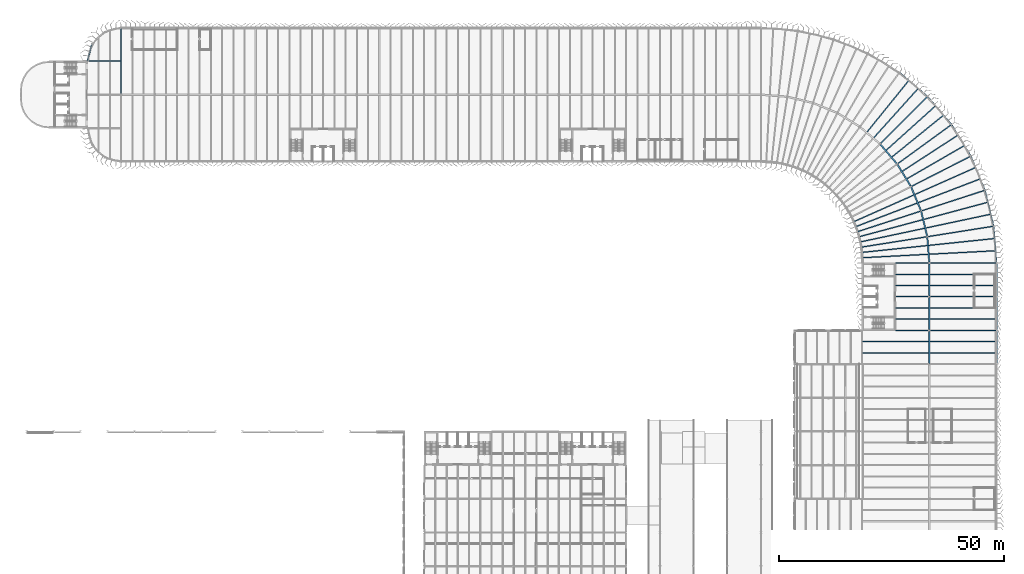
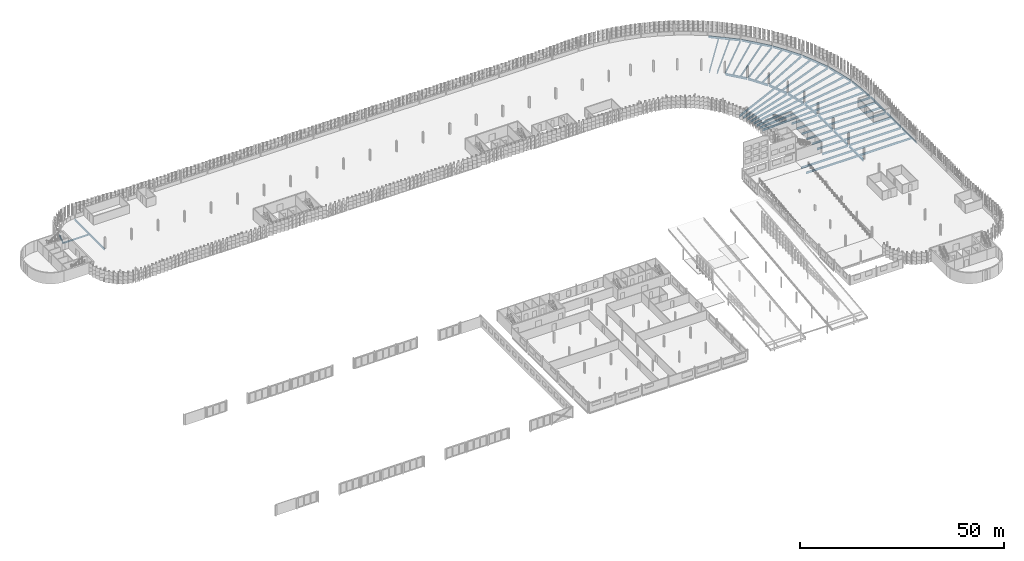
# One storey, part 44 of 199: 63 beams.
"""IFC4 building model written with IfcOpenShell, lengths in metres."""

from ifc_helpers import new_model, si_unit, direction, frame, origin, origin_2d, place, context, subcontext, project, spatial, i_section, extrude, material, material_profile, profile_set, type_object, element, save


model = new_model("IFC4")

# Units and contexts
model_context = context("Model", 3, precision=1e-05, world=origin(), true_north=direction((0.0, 1.0)))
body_context = subcontext(model_context, "Body", "Model", "MODEL_VIEW")
ifc_project = project(units=[si_unit("LENGTHUNIT", "METRE"), si_unit("AREAUNIT", "SQUARE_METRE"), si_unit("VOLUMEUNIT", "CUBIC_METRE"), si_unit("PLANEANGLEUNIT", "RADIAN"), si_unit("MASSUNIT", "GRAM", prefix="KILO")], contexts=[model_context])

# Site, building, storey
site_placement = place(None, origin())
site = spatial("IfcSite", under=ifc_project, at=site_placement, CompositionType="ELEMENT")
building_placement = place(site_placement, origin())
building = spatial("IfcBuilding", under=site, at=building_placement, Name="Parallax Yard Mobility Hub", CompositionType="ELEMENT")
storey_placement = place(building_placement, frame((0.0, 0.0, 9.89990234375)))
storey = spatial("IfcBuildingStorey", under=building, at=storey_placement, Name="L03", CompositionType="ELEMENT", Elevation=9.89990234375)

# Beams
ifc_material = material(Name="Steel ASTM A992", Category="steel")
ifc_material_profile_1 = material_profile(ifc_material, i_section(OverallWidth=0.19091796875, OverallDepth=0.45703125, WebThickness=0.009033203125, FlangeThickness=0.014404296875, FilletRadius=0.01025390625, at=origin_2d()), Name="W460x74")
ifc_profile_set_1 = profile_set([ifc_material_profile_1], Name="Steel ASTM A992")
beam_type_1 = type_object("IfcBeamType", Name="W460x74 longitudinal beam", PredefinedType="BEAM", material=ifc_profile_set_1)
beam_1_placement = place(storey_placement, frame((22.608154296875, 135.0, -0.368408203125), z_axis=(1.0, 0.0, 0.0), x_axis=(0.0, 1.0, 0.0)))
element("IfcBeam", 1, at=beam_1_placement, inside=storey, type_object=beam_type_1, Name="Longitudinal beam SB4 level L03, line U of ramped parking decks, span 1", PredefinedType="BEAM", context=body_context, shape_type="SweptSolid", body=[
    extrude(i_section(OverallWidth=0.19091796875, OverallDepth=0.45703125, WebThickness=0.009033203125, FlangeThickness=0.014404296875, FilletRadius=0.01025390625, at=origin_2d()), origin(), (0.0, 0.0, 1.0), 7.27734375),
])
ifc_material_profile_2 = material_profile(ifc_material, i_section(OverallWidth=0.208984375, OverallDepth=0.532958984375, WebThickness=0.01025390625, FlangeThickness=0.015625, FilletRadius=0.0126953125, at=origin_2d()), Name="W530x92")
ifc_profile_set_2 = profile_set([ifc_material_profile_2], Name="Steel ASTM A992")
beam_type_2 = type_object("IfcBeamType", Name="W530x92 edge beam", PredefinedType="SPANDREL", material=ifc_profile_set_2)
for number, where, z_axis, x_axis, name in (
    (2, (225.0, 67.652587890625, -0.406494140625), (0.0, 1.0, 0.0), (-1.0, 0.0, 0.0), "Edge beam SB5 level L03, line 31 of ramped parking decks, span 6"),
    (3, (225.0, 75.152587890625, -0.406494140625), (0.0, 1.0, 0.0), (-1.0, 0.0, 0.0), "Edge beam SB5 level L03, line 31 of ramped parking decks, span 7"),
    (4, (225.0, 82.652587890625, -0.406494140625), (0.0, 1.0, 0.0), (-1.0, 0.0, 0.0), "Edge beam SB5 level L03, line 31 of ramped parking decks, span 8"),
):
    element("IfcBeam", number, at=place(storey_placement, frame(where, z_axis=z_axis, x_axis=x_axis)), inside=storey, type_object=beam_type_2, Name=name, PredefinedType="SPANDREL", context=body_context, shape_type="SweptSolid", body=[
        extrude(i_section(OverallWidth=0.208984375, OverallDepth=0.532958984375, WebThickness=0.01025390625, FlangeThickness=0.015625, FilletRadius=0.0126953125, at=origin_2d()), origin(), (0.0, 0.0, 1.0), 7.19482421875),
    ])
beam_2_placement = place(storey_placement, frame((23.463623046875, 138.596435546875, -0.406494140625), z_axis=(-0.2588092838, -0.965928441769, 0.0), x_axis=(0.965928441769, -0.2588092838, 0.0)))
element("IfcBeam", 5, at=beam_2_placement, inside=storey, type_object=beam_type_2, Name="Edge beam SB5 level L03, the west end of ramped parking decks, span 2", PredefinedType="SPANDREL", context=body_context, shape_type="SweptSolid", body=[
    extrude(i_section(OverallWidth=0.208984375, OverallDepth=0.532958984375, WebThickness=0.01025390625, FlangeThickness=0.015625, FilletRadius=0.0126953125, at=origin_2d()), origin(), (0.0, 0.0, 1.0), 3.723388671875),
])
ifc_material_profile_3 = material_profile(ifc_material, i_section(OverallWidth=0.22802734375, OverallDepth=0.60205078125, WebThickness=0.010498046875, FlangeThickness=0.014892578125, FilletRadius=0.0126953125, at=origin_2d()), Name="W610x101")
ifc_profile_set_3 = profile_set([ifc_material_profile_3], Name="Steel ASTM A992")
beam_type_3 = type_object("IfcBeamType", Name="W610x101 secondary beam", PredefinedType="JOIST", material=ifc_profile_set_3)
for number, where, z_axis, x_axis, name in (
    (6, (195.1044921875, 70.0, -0.44091796875), (1.0, 0.0, 0.0), (0.0, 1.0, 0.0), "Secondary beam B3 level L03, 2.5 m north of line K of ramped parking decks, span 1"),
    (7, (210.16259765625, 70.0, -0.44091796875), (1.0, 0.0, 0.0), (0.0, 1.0, 0.0), "Secondary beam B3 level L03, 2.5 m north of line K of ramped parking decks, span 2"),
):
    element("IfcBeam", number, at=place(storey_placement, frame(where, z_axis=z_axis, x_axis=x_axis)), inside=storey, type_object=beam_type_3, Name=name, PredefinedType="JOIST", context=body_context, shape_type="SweptSolid", body=[
        extrude(i_section(OverallWidth=0.22802734375, OverallDepth=0.60205078125, WebThickness=0.010498046875, FlangeThickness=0.014892578125, FilletRadius=0.0126953125, at=origin_2d()), origin(), (0.0, 0.0, 1.0), 14.73291015625),
    ])
beam_3_placement = place(storey_placement, frame((202.5, 77.5, -0.44091796875), z_axis=(1.0, 0.0, 0.0), x_axis=(0.0, 1.0, 0.0)))
element("IfcBeam", 8, at=beam_3_placement, inside=storey, type_object=beam_type_3, Name="Secondary beam B3 level L03, 2.5 m north of line L of ramped parking decks, span 1", PredefinedType="JOIST", context=body_context, shape_type="SweptSolid", body=[
    extrude(i_section(OverallWidth=0.22802734375, OverallDepth=0.60205078125, WebThickness=0.010498046875, FlangeThickness=0.014892578125, FilletRadius=0.0126953125, at=origin_2d()), origin(), (0.0, 0.0, 1.0), 7.33740234375),
])
beam_4_placement = place(storey_placement, frame((210.16259765625, 77.5, -0.44091796875), z_axis=(1.0, 0.0, 0.0), x_axis=(0.0, 1.0, 0.0)))
element("IfcBeam", 9, at=beam_4_placement, inside=storey, type_object=beam_type_3, Name="Secondary beam B3 level L03, 2.5 m north of line L of ramped parking decks, span 2", PredefinedType="JOIST", context=body_context, shape_type="SweptSolid", body=[
    extrude(i_section(OverallWidth=0.22802734375, OverallDepth=0.60205078125, WebThickness=0.010498046875, FlangeThickness=0.014892578125, FilletRadius=0.0126953125, at=origin_2d()), origin(), (0.0, 0.0, 1.0), 14.73291015625),
])
beam_5_placement = place(storey_placement, frame((202.5, 85.0, -0.44091796875), z_axis=(1.0, 0.0, 0.0), x_axis=(0.0, 1.0, 0.0)))
element("IfcBeam", 10, at=beam_5_placement, inside=storey, type_object=beam_type_3, Name="Secondary beam B3 level L03, 2.5 m north of line M of ramped parking decks, span 1", PredefinedType="JOIST", context=body_context, shape_type="SweptSolid", body=[
    extrude(i_section(OverallWidth=0.22802734375, OverallDepth=0.60205078125, WebThickness=0.010498046875, FlangeThickness=0.014892578125, FilletRadius=0.0126953125, at=origin_2d()), origin(), (0.0, 0.0, 1.0), 7.33740234375),
])
for number, where, z_axis, x_axis, name in (
    (11, (210.16259765625, 85.0, -0.44091796875), (1.0, 0.0, 0.0), (0.0, 1.0, 0.0), "Secondary beam B3 level L03, 2.5 m north of line M of ramped parking decks, span 2"),
    (12, (195.1044921875, 72.5, -0.44091796875), (1.0, 0.0, 0.0), (0.0, 1.0, 0.0), "Secondary beam B3 level L03, 5 m north of line K of ramped parking decks, span 1"),
    (13, (210.16259765625, 72.5, -0.44091796875), (1.0, 0.0, 0.0), (0.0, 1.0, 0.0), "Secondary beam B3 level L03, 5 m north of line K of ramped parking decks, span 2"),
):
    element("IfcBeam", number, at=place(storey_placement, frame(where, z_axis=z_axis, x_axis=x_axis)), inside=storey, type_object=beam_type_3, Name=name, PredefinedType="JOIST", context=body_context, shape_type="SweptSolid", body=[
        extrude(i_section(OverallWidth=0.22802734375, OverallDepth=0.60205078125, WebThickness=0.010498046875, FlangeThickness=0.014892578125, FilletRadius=0.0126953125, at=origin_2d()), origin(), (0.0, 0.0, 1.0), 14.73291015625),
    ])
beam_6_placement = place(storey_placement, frame((202.5, 80.0, -0.44091796875), z_axis=(1.0, 0.0, 0.0), x_axis=(0.0, 1.0, 0.0)))
element("IfcBeam", 14, at=beam_6_placement, inside=storey, type_object=beam_type_3, Name="Secondary beam B3 level L03, 5 m north of line L of ramped parking decks, span 1", PredefinedType="JOIST", context=body_context, shape_type="SweptSolid", body=[
    extrude(i_section(OverallWidth=0.22802734375, OverallDepth=0.60205078125, WebThickness=0.010498046875, FlangeThickness=0.014892578125, FilletRadius=0.0126953125, at=origin_2d()), origin(), (0.0, 0.0, 1.0), 7.33740234375),
])
beam_7_placement = place(storey_placement, frame((210.16259765625, 80.0, -0.44091796875), z_axis=(1.0, 0.0, 0.0), x_axis=(0.0, 1.0, 0.0)))
element("IfcBeam", 15, at=beam_7_placement, inside=storey, type_object=beam_type_3, Name="Secondary beam B3 level L03, 5 m north of line L of ramped parking decks, span 2", PredefinedType="JOIST", context=body_context, shape_type="SweptSolid", body=[
    extrude(i_section(OverallWidth=0.22802734375, OverallDepth=0.60205078125, WebThickness=0.010498046875, FlangeThickness=0.014892578125, FilletRadius=0.0126953125, at=origin_2d()), origin(), (0.0, 0.0, 1.0), 14.73291015625),
])
beam_8_placement = place(storey_placement, frame((202.5, 87.5, -0.44091796875), z_axis=(1.0, 0.0, 0.0), x_axis=(0.0, 1.0, 0.0)))
element("IfcBeam", 16, at=beam_8_placement, inside=storey, type_object=beam_type_3, Name="Secondary beam B3 level L03, 5 m north of line M of ramped parking decks, span 1", PredefinedType="JOIST", context=body_context, shape_type="SweptSolid", body=[
    extrude(i_section(OverallWidth=0.22802734375, OverallDepth=0.60205078125, WebThickness=0.010498046875, FlangeThickness=0.014892578125, FilletRadius=0.0126953125, at=origin_2d()), origin(), (0.0, 0.0, 1.0), 7.33740234375),
])
beam_9_placement = place(storey_placement, frame((210.16259765625, 87.5, -0.44091796875), z_axis=(1.0, 0.0, 0.0), x_axis=(0.0, 1.0, 0.0)))
element("IfcBeam", 17, at=beam_9_placement, inside=storey, type_object=beam_type_3, Name="Secondary beam B3 level L03, 5 m north of line M of ramped parking decks, span 2", PredefinedType="JOIST", context=body_context, shape_type="SweptSolid", body=[
    extrude(i_section(OverallWidth=0.22802734375, OverallDepth=0.60205078125, WebThickness=0.010498046875, FlangeThickness=0.014892578125, FilletRadius=0.0126953125, at=origin_2d()), origin(), (0.0, 0.0, 1.0), 14.73291015625),
])
beam_10_placement = place(storey_placement, frame((196.13720703125, 119.189453125, -0.44091796875), z_axis=(0.629317812071, 0.777148049865, 0.0), x_axis=(-0.777148049865, 0.629317812071, 0.0)))
element("IfcBeam", 18, at=beam_10_placement, inside=storey, type_object=beam_type_3, Name="Secondary beam B3 level L03, radial at 39 degrees of ramped parking decks, span 2", PredefinedType="JOIST", context=body_context, shape_type="SweptSolid", body=[
    extrude(i_section(OverallWidth=0.22802734375, OverallDepth=0.60205078125, WebThickness=0.010498046875, FlangeThickness=0.014892578125, FilletRadius=0.0126953125, at=origin_2d()), origin(), (0.0, 0.0, 1.0), 14.681884765625),
])
for number, where, z_axis, x_axis, name in (
    (19, (197.63232421875, 117.912353515625, -0.44091796875), (0.669130085287, 0.743145294652, 0.0), (-0.743145294652, 0.669130085287, 0.0), "Secondary beam B3 level L03, radial at 42 degrees of ramped parking decks, span 2"),
    (20, (200.412353515625, 115.13232421875, -0.44091796875), (0.743145294652, 0.669130085287, 0.0), (-0.669130085287, 0.743145294652, 0.0), "Secondary beam B3 level L03, radial at 48 degrees of ramped parking decks, span 2"),
):
    element("IfcBeam", number, at=place(storey_placement, frame(where, z_axis=z_axis, x_axis=x_axis)), inside=storey, type_object=beam_type_3, Name=name, PredefinedType="JOIST", context=body_context, shape_type="SweptSolid", body=[
        extrude(i_section(OverallWidth=0.22802734375, OverallDepth=0.60205078125, WebThickness=0.010498046875, FlangeThickness=0.014892578125, FilletRadius=0.0126953125, at=origin_2d()), origin(), (0.0, 0.0, 1.0), 14.681640625),
    ])
for number, where, z_axis, x_axis, name in (
    (21, (201.689453125, 113.63720703125, -0.44091796875), (0.777148049865, 0.629317812071, 0.0), (-0.629317812071, 0.777148049865, 0.0), "Secondary beam B3 level L03, radial at 51 degrees of ramped parking decks, span 2"),
    (22, (204.000244140625, 110.45654296875, -0.44091796875), (0.838669595432, 0.544640532551, 0.0), (-0.544640532551, 0.838669595432, 0.0), "Secondary beam B3 level L03, radial at 57 degrees of ramped parking decks, span 2"),
    (23, (205.027587890625, 108.77978515625, -0.44091796875), (0.866028298505, 0.499994986164, 0.0), (-0.499994986164, 0.866028298505, 0.0), "Secondary beam B3 level L03, radial at 60 degrees of ramped parking decks, span 2"),
):
    element("IfcBeam", number, at=place(storey_placement, frame(where, z_axis=z_axis, x_axis=x_axis)), inside=storey, type_object=beam_type_3, Name=name, PredefinedType="JOIST", context=body_context, shape_type="SweptSolid", body=[
        extrude(i_section(OverallWidth=0.22802734375, OverallDepth=0.60205078125, WebThickness=0.010498046875, FlangeThickness=0.014892578125, FilletRadius=0.0126953125, at=origin_2d()), origin(), (0.0, 0.0, 1.0), 14.681884765625),
    ])
beam_11_placement = place(storey_placement, frame((193.10302734375, 99.173095703125, -0.44091796875), z_axis=(0.913542542964, 0.406743189488, 0.0), x_axis=(-0.406743189488, 0.913542542964, 0.0)))
element("IfcBeam", 24, at=beam_11_placement, inside=storey, type_object=beam_type_3, Name="Secondary beam B3 level L03, radial at 66 degrees of ramped parking decks, span 1", PredefinedType="JOIST", context=body_context, shape_type="SweptSolid", body=[
    extrude(i_section(OverallWidth=0.22802734375, OverallDepth=0.60205078125, WebThickness=0.010498046875, FlangeThickness=0.014892578125, FilletRadius=0.0126953125, at=origin_2d()), origin(), (0.0, 0.0, 1.0), 14.681640625),
])
beam_12_placement = place(storey_placement, frame((206.8125, 105.27685546875, -0.44091796875), z_axis=(0.913545293989, 0.406737010648, 0.0), x_axis=(-0.406737010648, 0.913545293989, 0.0)))
element("IfcBeam", 25, at=beam_12_placement, inside=storey, type_object=beam_type_3, Name="Secondary beam B3 level L03, radial at 66 degrees of ramped parking decks, span 2", PredefinedType="JOIST", context=body_context, shape_type="SweptSolid", body=[
    extrude(i_section(OverallWidth=0.22802734375, OverallDepth=0.60205078125, WebThickness=0.010498046875, FlangeThickness=0.014892578125, FilletRadius=0.0126953125, at=origin_2d()), origin(), (0.0, 0.0, 1.0), 14.681884765625),
])
for number, where, z_axis, x_axis, name in (
    (26, (193.554931640625, 98.082275390625, -0.44091796875), (0.933585403808, 0.358354982937, 0.0), (-0.358354982937, 0.933585403808, 0.0), "Secondary beam B3 level L03, radial at 69 degrees of ramped parking decks, span 1"),
    (27, (207.565185546875, 103.460205078125, -0.44091796875), (0.933579840414, 0.358369476341, 0.0), (-0.358369476341, 0.933579840414, 0.0), "Secondary beam B3 level L03, radial at 69 degrees of ramped parking decks, span 2"),
    (28, (194.284423828125, 95.837158203125, -0.44091796875), (0.965927342589, 0.258813386129, 0.0), (-0.258813386129, 0.965927342589, 0.0), "Secondary beam B3 level L03, radial at 75 degrees of ramped parking decks, span 1"),
):
    element("IfcBeam", number, at=place(storey_placement, frame(where, z_axis=z_axis, x_axis=x_axis)), inside=storey, type_object=beam_type_3, Name=name, PredefinedType="JOIST", context=body_context, shape_type="SweptSolid", body=[
        extrude(i_section(OverallWidth=0.22802734375, OverallDepth=0.60205078125, WebThickness=0.010498046875, FlangeThickness=0.014892578125, FilletRadius=0.0126953125, at=origin_2d()), origin(), (0.0, 0.0, 1.0), 14.681640625),
    ])
beam_13_placement = place(storey_placement, frame((208.77978515625, 99.72119140625, -0.44091796875), z_axis=(0.965924299306, 0.258824743814, 0.0), x_axis=(-0.258824743814, 0.965924299306, 0.0)))
element("IfcBeam", 29, at=beam_13_placement, inside=storey, type_object=beam_type_3, Name="Secondary beam B3 level L03, radial at 75 degrees of ramped parking decks, span 2", PredefinedType="JOIST", context=body_context, shape_type="SweptSolid", body=[
    extrude(i_section(OverallWidth=0.22802734375, OverallDepth=0.60205078125, WebThickness=0.010498046875, FlangeThickness=0.014892578125, FilletRadius=0.0126953125, at=origin_2d()), origin(), (0.0, 0.0, 1.0), 14.681884765625),
])
beam_14_placement = place(storey_placement, frame((194.56005859375, 94.68896484375, -0.44091796875), z_axis=(0.978147607736, 0.207911657875, 0.0), x_axis=(-0.207911657875, 0.978147607736, 0.0)))
element("IfcBeam", 30, at=beam_14_placement, inside=storey, type_object=beam_type_3, Name="Secondary beam B3 level L03, radial at 78 degrees of ramped parking decks, span 1", PredefinedType="JOIST", context=body_context, shape_type="SweptSolid", body=[
    extrude(i_section(OverallWidth=0.22802734375, OverallDepth=0.60205078125, WebThickness=0.010498046875, FlangeThickness=0.014892578125, FilletRadius=0.0126953125, at=origin_2d()), origin(), (0.0, 0.0, 1.0), 14.681640625),
])
for number, where, z_axis, x_axis, name in (
    (31, (209.239013671875, 97.80908203125, -0.44091796875), (0.978148326542, 0.207908276129, 0.0), (-0.207908276129, 0.978148326542, 0.0), "Secondary beam B3 level L03, radial at 78 degrees of ramped parking decks, span 2"),
    (32, (194.92919921875, 92.357421875, -0.44091796875), (0.994522023464, 0.104527244507, 0.0), (-0.104527244507, 0.994522023464, 0.0), "Secondary beam B3 level L03, radial at 84 degrees of ramped parking decks, span 1"),
):
    element("IfcBeam", number, at=place(storey_placement, frame(where, z_axis=z_axis, x_axis=x_axis)), inside=storey, type_object=beam_type_3, Name=name, PredefinedType="JOIST", context=body_context, shape_type="SweptSolid", body=[
        extrude(i_section(OverallWidth=0.22802734375, OverallDepth=0.60205078125, WebThickness=0.010498046875, FlangeThickness=0.014892578125, FilletRadius=0.0126953125, at=origin_2d()), origin(), (0.0, 0.0, 1.0), 14.681884765625),
    ])
for number, where, z_axis, x_axis, name in (
    (33, (209.85400390625, 93.926025390625, -0.44091796875), (0.994521841777, 0.104528973154, 0.0), (-0.104528973154, 0.994521841777, 0.0), "Secondary beam B3 level L03, radial at 84 degrees of ramped parking decks, span 2"),
    (34, (195.02197265625, 91.180419921875, -0.44091796875), (0.99862979267, 0.052331034694, 0.0), (-0.052331034694, 0.99862979267, 0.0), "Secondary beam B3 level L03, radial at 87 degrees of ramped parking decks, span 1"),
    (35, (210.00830078125, 91.9658203125, -0.44091796875), (0.99862979267, 0.052331034694, 0.0), (-0.052331034694, 0.99862979267, 0.0), "Secondary beam B3 level L03, radial at 87 degrees of ramped parking decks, span 2"),
):
    element("IfcBeam", number, at=place(storey_placement, frame(where, z_axis=z_axis, x_axis=x_axis)), inside=storey, type_object=beam_type_3, Name=name, PredefinedType="JOIST", context=body_context, shape_type="SweptSolid", body=[
        extrude(i_section(OverallWidth=0.22802734375, OverallDepth=0.60205078125, WebThickness=0.010498046875, FlangeThickness=0.014892578125, FilletRadius=0.0126953125, at=origin_2d()), origin(), (0.0, 0.0, 1.0), 14.681640625),
    ])
ifc_material_profile_4 = material_profile(ifc_material, i_section(OverallWidth=0.22900390625, OverallDepth=0.612060546875, WebThickness=0.011962890625, FlangeThickness=0.01953125, FilletRadius=0.0126953125, at=origin_2d()), Name="W610x125")
ifc_profile_set_4 = profile_set([ifc_material_profile_4], Name="Steel ASTM A992")
beam_type_4 = type_object("IfcBeamType", Name="W610x125 edge beam", PredefinedType="SPANDREL", material=ifc_profile_set_4)
for number, where, z_axis, x_axis, name in (
    (36, (203.47509765625, 132.3740234375, -0.44580078125), (0.76040471034, -0.649449518048, 0.0), (0.649449518048, 0.76040471034, 0.0), "Edge beam SB7 level L03, ring RC of ramped parking decks, span 5"),
    (37, (209.722412109375, 127.0068359375, -0.44580078125), (0.649449518048, -0.76040471034, 0.0), (0.76040471034, 0.649449518048, 0.0), "Edge beam SB7 level L03, ring RC of ramped parking decks, span 6"),
    (38, (215.05322265625, 120.728271484375, -0.44580078125), (0.522511537027, -0.852632214776, 0.0), (0.852632214776, 0.522511537027, 0.0), "Edge beam SB7 level L03, ring RC of ramped parking decks, span 7"),
    (39, (219.336181640625, 113.693115234375, -0.44580078125), (0.38272419086, -0.923862648737, 0.0), (0.923862648737, 0.38272419086, 0.0), "Edge beam SB7 level L03, ring RC of ramped parking decks, span 8"),
    (40, (222.46630859375, 106.07470703125, -0.44580078125), (0.233421843416, -0.972375566855, 0.0), (0.972375566855, 0.233421843416, 0.0), "Edge beam SB7 level L03, ring RC of ramped parking decks, span 9"),
):
    element("IfcBeam", number, at=place(storey_placement, frame(where, z_axis=z_axis, x_axis=x_axis)), inside=storey, type_object=beam_type_4, Name=name, PredefinedType="SPANDREL", context=body_context, shape_type="SweptSolid", body=[
        extrude(i_section(OverallWidth=0.22900390625, OverallDepth=0.612060546875, WebThickness=0.011962890625, FlangeThickness=0.01953125, FilletRadius=0.0126953125, at=origin_2d()), origin(), (0.0, 0.0, 1.0), 7.932373046875),
    ])
beam_15_placement = place(storey_placement, frame((224.365478515625, 98.060302734375, -0.44580078125), z_axis=(0.07848514886, -0.996915282965, 0.0), x_axis=(0.996915282965, 0.07848514886, 0.0)))
element("IfcBeam", 41, at=beam_15_placement, inside=storey, type_object=beam_type_4, Name="Edge beam SB7 level L03, ring RC of ramped parking decks, span 10", PredefinedType="SPANDREL", context=body_context, shape_type="SweptSolid", body=[
    extrude(i_section(OverallWidth=0.22900390625, OverallDepth=0.612060546875, WebThickness=0.011962890625, FlangeThickness=0.01953125, FilletRadius=0.0126953125, at=origin_2d()), origin(), (0.0, 0.0, 1.0), 7.93212890625),
])
ifc_material_profile_5 = material_profile(ifc_material, i_section(OverallWidth=0.22900390625, OverallDepth=0.612060546875, WebThickness=0.011962890625, FlangeThickness=0.01953125, FilletRadius=0.0126953125, at=origin_2d()), Name="W610x125")
ifc_profile_set_5 = profile_set([ifc_material_profile_5], Name="Steel ASTM A992")
beam_type_5 = type_object("IfcBeamType", Name="W610x125 girder", PredefinedType="BEAM", material=ifc_profile_set_5)
beam_16_placement = place(storey_placement, frame((30.0, 127.6904296875, -0.44580078125), z_axis=(0.0, 1.0, 0.0), x_axis=(-1.0, 0.0, 0.0)))
element("IfcBeam", 42, at=beam_16_placement, inside=storey, type_object=beam_type_5, Name="Girder G3 level L03, line 5 of ramped parking decks, span 2", PredefinedType="BEAM", context=body_context, shape_type="SweptSolid", body=[
    extrude(i_section(OverallWidth=0.22900390625, OverallDepth=0.612060546875, WebThickness=0.011962890625, FlangeThickness=0.01953125, FilletRadius=0.0126953125, at=origin_2d()), origin(), (0.0, 0.0, 1.0), 14.650634765625),
])
beam_17_placement = place(storey_placement, frame((202.5, 75.0, -0.44580078125), z_axis=(1.0, 0.0, 0.0), x_axis=(0.0, 1.0, 0.0)))
element("IfcBeam", 43, at=beam_17_placement, inside=storey, type_object=beam_type_5, Name="Girder G3 level L03, line L of ramped parking decks, span 1", PredefinedType="BEAM", context=body_context, shape_type="SweptSolid", body=[
    extrude(i_section(OverallWidth=0.22900390625, OverallDepth=0.612060546875, WebThickness=0.011962890625, FlangeThickness=0.01953125, FilletRadius=0.0126953125, at=origin_2d()), origin(), (0.0, 0.0, 1.0), 7.31201171875),
])
beam_18_placement = place(storey_placement, frame((210.18798828125, 75.0, -0.44580078125), z_axis=(1.0, 0.0, 0.0), x_axis=(0.0, 1.0, 0.0)))
element("IfcBeam", 44, at=beam_18_placement, inside=storey, type_object=beam_type_5, Name="Girder G3 level L03, line L of ramped parking decks, span 2", PredefinedType="BEAM", context=body_context, shape_type="SweptSolid", body=[
    extrude(i_section(OverallWidth=0.22900390625, OverallDepth=0.612060546875, WebThickness=0.011962890625, FlangeThickness=0.01953125, FilletRadius=0.0126953125, at=origin_2d()), origin(), (0.0, 0.0, 1.0), 14.658447265625),
])
beam_19_placement = place(storey_placement, frame((202.5, 82.5, -0.44580078125), z_axis=(1.0, 0.0, 0.0), x_axis=(0.0, 1.0, 0.0)))
element("IfcBeam", 45, at=beam_19_placement, inside=storey, type_object=beam_type_5, Name="Girder G3 level L03, line M of ramped parking decks, span 1", PredefinedType="BEAM", context=body_context, shape_type="SweptSolid", body=[
    extrude(i_section(OverallWidth=0.22900390625, OverallDepth=0.612060546875, WebThickness=0.011962890625, FlangeThickness=0.01953125, FilletRadius=0.0126953125, at=origin_2d()), origin(), (0.0, 0.0, 1.0), 7.3095703125),
])
beam_20_placement = place(storey_placement, frame((210.1904296875, 82.5, -0.44580078125), z_axis=(1.0, 0.0, 0.0), x_axis=(0.0, 1.0, 0.0)))
element("IfcBeam", 46, at=beam_20_placement, inside=storey, type_object=beam_type_5, Name="Girder G3 level L03, line M of ramped parking decks, span 2", PredefinedType="BEAM", context=body_context, shape_type="SweptSolid", body=[
    extrude(i_section(OverallWidth=0.22900390625, OverallDepth=0.612060546875, WebThickness=0.011962890625, FlangeThickness=0.01953125, FilletRadius=0.0126953125, at=origin_2d()), origin(), (0.0, 0.0, 1.0), 14.656005859375),
])
beam_21_placement = place(storey_placement, frame((202.5, 90.0, -0.44580078125), z_axis=(1.0, 0.0, 0.0), x_axis=(0.0, 1.0, 0.0)))
element("IfcBeam", 47, at=beam_21_placement, inside=storey, type_object=beam_type_5, Name="Girder G3 level L03, line N of ramped parking decks, span 1", PredefinedType="BEAM", context=body_context, shape_type="SweptSolid", body=[
    extrude(i_section(OverallWidth=0.22900390625, OverallDepth=0.612060546875, WebThickness=0.011962890625, FlangeThickness=0.01953125, FilletRadius=0.0126953125, at=origin_2d()), origin(), (0.0, 0.0, 1.0), 7.31591796875),
])
beam_22_placement = place(storey_placement, frame((210.18408203125, 90.0, -0.44580078125), z_axis=(1.0, 0.0, 0.0), x_axis=(0.0, 1.0, 0.0)))
element("IfcBeam", 48, at=beam_22_placement, inside=storey, type_object=beam_type_5, Name="Girder G3 level L03, line N of ramped parking decks, span 2", PredefinedType="BEAM", context=body_context, shape_type="SweptSolid", body=[
    extrude(i_section(OverallWidth=0.22900390625, OverallDepth=0.612060546875, WebThickness=0.011962890625, FlangeThickness=0.01953125, FilletRadius=0.0126953125, at=origin_2d()), origin(), (0.0, 0.0, 1.0), 14.662353515625),
])
beam_23_placement = place(storey_placement, frame((199.132568359375, 116.632568359375, -0.44580078125), z_axis=(0.707106781187, 0.707106781187, 0.0), x_axis=(-0.707106781187, 0.707106781187, 0.0)))
element("IfcBeam", 49, at=beam_23_placement, inside=storey, type_object=beam_type_5, Name="Girder G3 level L03, radial R5 of ramped parking decks, span 1", PredefinedType="BEAM", context=body_context, shape_type="SweptSolid", body=[
    extrude(i_section(OverallWidth=0.22900390625, OverallDepth=0.612060546875, WebThickness=0.011962890625, FlangeThickness=0.01953125, FilletRadius=0.0126953125, at=origin_2d()), origin(), (0.0, 0.0, 1.0), 14.682373046875),
])
for number, where, z_axis, x_axis, name in (
    (50, (202.970703125, 112.13818359375, -0.44580078125), (0.80901066997, 0.587793956991, 0.0), (-0.587793956991, 0.80901066997, 0.0), "Girder G3 level L03, radial R6 of ramped parking decks, span 2"),
    (51, (206.058837890625, 107.09912109375, -0.44580078125), (0.891005994244, 0.453991539812, 0.0), (-0.453991539812, 0.891005994244, 0.0), "Girder G3 level L03, radial R7 of ramped parking decks, span 1"),
):
    element("IfcBeam", number, at=place(storey_placement, frame(where, z_axis=z_axis, x_axis=x_axis)), inside=storey, type_object=beam_type_5, Name=name, PredefinedType="BEAM", context=body_context, shape_type="SweptSolid", body=[
        extrude(i_section(OverallWidth=0.22900390625, OverallDepth=0.612060546875, WebThickness=0.011962890625, FlangeThickness=0.01953125, FilletRadius=0.0126953125, at=origin_2d()), origin(), (0.0, 0.0, 1.0), 14.6826171875),
    ])
beam_24_placement = place(storey_placement, frame((194.07373046875, 97.009765625, -0.44580078125), z_axis=(0.95105867833, 0.309010340236, 0.0), x_axis=(-0.309010340236, 0.95105867833, 0.0)))
element("IfcBeam", 52, at=beam_24_placement, inside=storey, type_object=beam_type_5, Name="Girder G3 level L03, radial R8 of ramped parking decks, span 1", PredefinedType="BEAM", context=body_context, shape_type="SweptSolid", body=[
    extrude(i_section(OverallWidth=0.22900390625, OverallDepth=0.612060546875, WebThickness=0.011962890625, FlangeThickness=0.01953125, FilletRadius=0.0126953125, at=origin_2d()), origin(), (0.0, 0.0, 1.0), 14.65185546875),
])
for number, where, z_axis, x_axis, name in (
    (53, (208.320556640625, 101.638916015625, -0.44580078125), (0.951057038922, 0.309015385889, 0.0), (-0.309015385889, 0.951057038922, 0.0), "Girder G3 level L03, radial R8 of ramped parking decks, span 2"),
    (54, (209.7001953125, 95.89208984375, -0.44580078125), (0.987690594614, 0.15642023306, 0.0), (-0.15642023306, 0.987690594614, 0.0), "Girder G3 level L03, radial R9 of ramped parking decks, span 1"),
):
    element("IfcBeam", number, at=place(storey_placement, frame(where, z_axis=z_axis, x_axis=x_axis)), inside=storey, type_object=beam_type_5, Name=name, PredefinedType="BEAM", context=body_context, shape_type="SweptSolid", body=[
        extrude(i_section(OverallWidth=0.22900390625, OverallDepth=0.612060546875, WebThickness=0.011962890625, FlangeThickness=0.01953125, FilletRadius=0.0126953125, at=origin_2d()), origin(), (0.0, 0.0, 1.0), 14.682373046875),
    ])
beam_25_placement = place(storey_placement, frame((194.722900390625, 93.519775390625, -0.44580078125), z_axis=(0.98768893583, 0.156430706831, 0.0), x_axis=(-0.156430706831, 0.98768893583, 0.0)))
element("IfcBeam", 55, at=beam_25_placement, inside=storey, type_object=beam_type_5, Name="Girder G3 level L03, radial R9 of ramped parking decks, span 2", PredefinedType="BEAM", context=body_context, shape_type="SweptSolid", body=[
    extrude(i_section(OverallWidth=0.22900390625, OverallDepth=0.612060546875, WebThickness=0.011962890625, FlangeThickness=0.01953125, FilletRadius=0.0126953125, at=origin_2d()), origin(), (0.0, 0.0, 1.0), 14.8359375),
])
ifc_material_profile_6 = material_profile(ifc_material, i_section(OverallWidth=0.324951171875, OverallDepth=0.612060546875, WebThickness=0.0126953125, FlangeThickness=0.01904296875, FilletRadius=0.0126953125, at=origin_2d()), Name="W610x155")
ifc_profile_set_6 = profile_set([ifc_material_profile_6], Name="Steel ASTM A992")
beam_type_6 = type_object("IfcBeamType", Name="W610x155 longitudinal beam", PredefinedType="BEAM", material=ifc_profile_set_6)
beam_26_placement = place(storey_placement, frame((210.0, 67.6865234375, -0.44580078125), z_axis=(0.0, 1.0, 0.0), x_axis=(-1.0, 0.0, 0.0)))
element("IfcBeam", 56, at=beam_26_placement, inside=storey, type_object=beam_type_6, Name="Longitudinal beam SB8 level L03, line 29 of ramped parking decks, span 7", PredefinedType="BEAM", context=body_context, shape_type="SweptSolid", body=[
    extrude(i_section(OverallWidth=0.324951171875, OverallDepth=0.612060546875, WebThickness=0.0126953125, FlangeThickness=0.01904296875, FilletRadius=0.0126953125, at=origin_2d()), origin(), (0.0, 0.0, 1.0), 7.116455078125),
])
beam_27_placement = place(storey_placement, frame((210.0, 75.197021484375, -0.44580078125), z_axis=(0.0, 1.0, 0.0), x_axis=(-1.0, 0.0, 0.0)))
element("IfcBeam", 57, at=beam_27_placement, inside=storey, type_object=beam_type_6, Name="Longitudinal beam SB8 level L03, line 29 of ramped parking decks, span 8", PredefinedType="BEAM", context=body_context, shape_type="SweptSolid", body=[
    extrude(i_section(OverallWidth=0.324951171875, OverallDepth=0.612060546875, WebThickness=0.0126953125, FlangeThickness=0.01904296875, FilletRadius=0.0126953125, at=origin_2d()), origin(), (0.0, 0.0, 1.0), 7.10498046875),
])
beam_28_placement = place(storey_placement, frame((210.0, 82.697998046875, -0.44580078125), z_axis=(0.0, 1.0, 0.0), x_axis=(-1.0, 0.0, 0.0)))
element("IfcBeam", 58, at=beam_28_placement, inside=storey, type_object=beam_type_6, Name="Longitudinal beam SB8 level L03, line 29 of ramped parking decks, span 9", PredefinedType="BEAM", context=body_context, shape_type="SweptSolid", body=[
    extrude(i_section(OverallWidth=0.324951171875, OverallDepth=0.612060546875, WebThickness=0.0126953125, FlangeThickness=0.01904296875, FilletRadius=0.0126953125, at=origin_2d()), origin(), (0.0, 0.0, 1.0), 7.115478515625),
])
for number, where, z_axis, x_axis, name in (
    (59, (199.117431640625, 116.398193359375, -0.44580078125), (0.649448387254, -0.760405676132, 0.0), (0.760405676132, 0.649448387254, 0.0), "Longitudinal beam SB8 level L03, ring RB of ramped parking decks, span 6"),
    (60, (202.919189453125, 111.9091796875, -0.44580078125), (0.522544595639, -0.852611954859, 0.0), (0.852611954859, 0.522544595639, 0.0), "Longitudinal beam SB8 level L03, ring RB of ramped parking decks, span 7"),
):
    element("IfcBeam", number, at=place(storey_placement, frame(where, z_axis=z_axis, x_axis=x_axis)), inside=storey, type_object=beam_type_6, Name=name, PredefinedType="BEAM", context=body_context, shape_type="SweptSolid", body=[
        extrude(i_section(OverallWidth=0.324951171875, OverallDepth=0.612060546875, WebThickness=0.0126953125, FlangeThickness=0.01904296875, FilletRadius=0.0126953125, at=origin_2d()), origin(), (0.0, 0.0, 1.0), 5.573486328125),
    ])
beam_29_placement = place(storey_placement, frame((205.97216796875, 106.881103515625, -0.44580078125), z_axis=(0.382661281433, -0.923888707417, 0.0), x_axis=(0.923888707417, 0.382661281433, 0.0)))
element("IfcBeam", 61, at=beam_29_placement, inside=storey, type_object=beam_type_6, Name="Longitudinal beam SB8 level L03, ring RB of ramped parking decks, span 8", PredefinedType="BEAM", context=body_context, shape_type="SweptSolid", body=[
    extrude(i_section(OverallWidth=0.324951171875, OverallDepth=0.612060546875, WebThickness=0.0126953125, FlangeThickness=0.01904296875, FilletRadius=0.0126953125, at=origin_2d()), origin(), (0.0, 0.0, 1.0), 5.57373046875),
])
beam_30_placement = place(storey_placement, frame((208.200927734375, 101.43701171875, -0.44580078125), z_axis=(0.233434251822, -0.972372588094, 0.0), x_axis=(0.972372588094, 0.233434251822, 0.0)))
element("IfcBeam", 62, at=beam_30_placement, inside=storey, type_object=beam_type_6, Name="Longitudinal beam SB8 level L03, ring RB of ramped parking decks, span 9", PredefinedType="BEAM", context=body_context, shape_type="SweptSolid", body=[
    extrude(i_section(OverallWidth=0.324951171875, OverallDepth=0.612060546875, WebThickness=0.0126953125, FlangeThickness=0.01904296875, FilletRadius=0.0126953125, at=origin_2d()), origin(), (0.0, 0.0, 1.0), 5.573486328125),
])
beam_31_placement = place(storey_placement, frame((209.550537109375, 95.711181640625, -0.44580078125), z_axis=(0.078461682302, -0.996917130162, 0.0), x_axis=(0.996917130162, 0.078461682302, 0.0)))
element("IfcBeam", 63, at=beam_31_placement, inside=storey, type_object=beam_type_6, Name="Longitudinal beam SB8 level L03, ring RB of ramped parking decks, span 10", PredefinedType="BEAM", context=body_context, shape_type="SweptSolid", body=[
    extrude(i_section(OverallWidth=0.324951171875, OverallDepth=0.612060546875, WebThickness=0.0126953125, FlangeThickness=0.01904296875, FilletRadius=0.0126953125, at=origin_2d()), origin(), (0.0, 0.0, 1.0), 5.541748046875),
])

save(model, "model.ifc")
